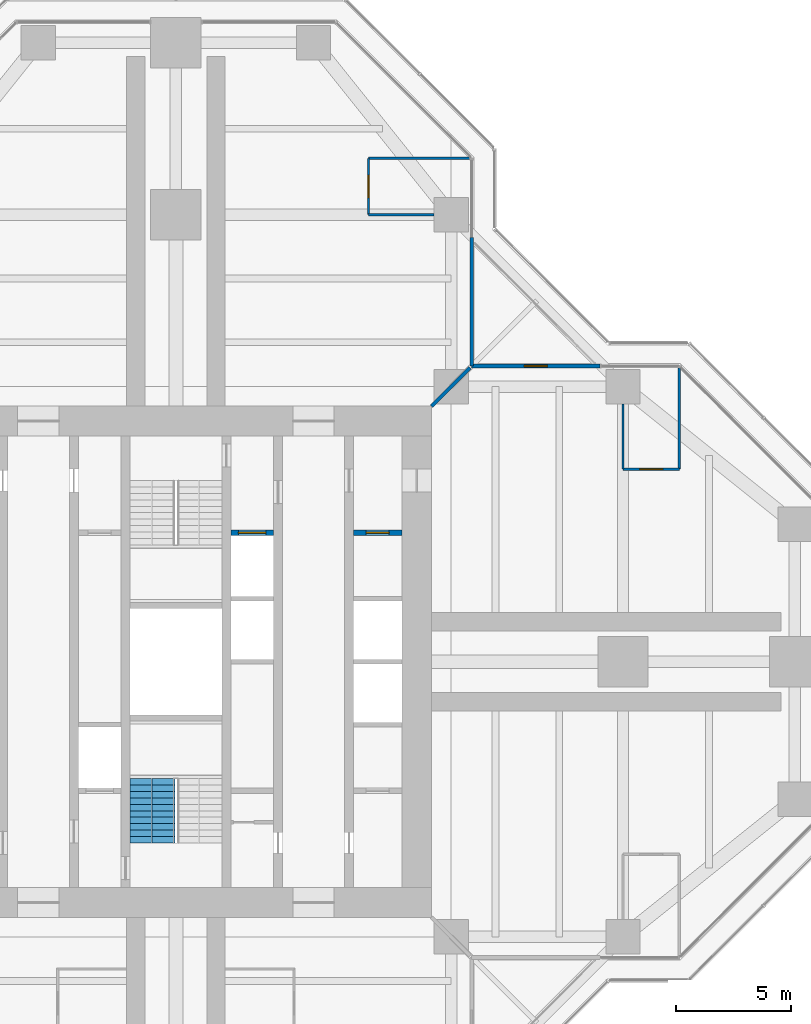
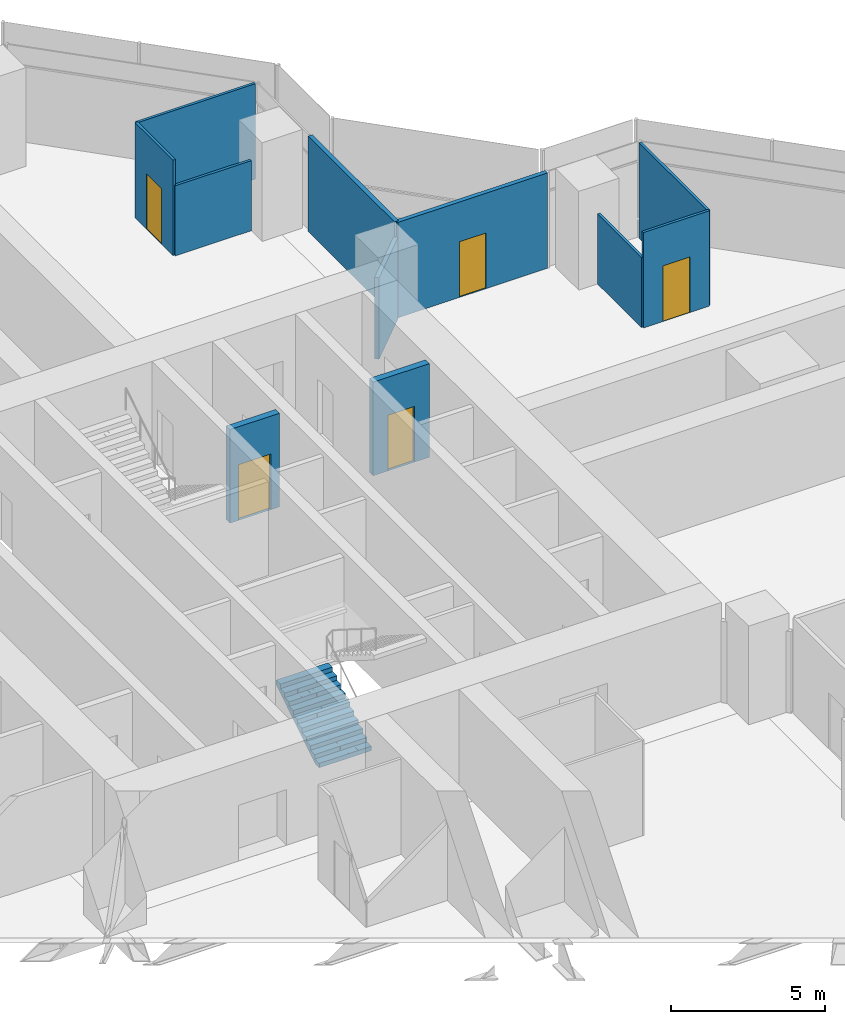
# One storey, part 15 of 17: 11 walls, 5 doors, 1 stair flight, 5 openings, 1 element without a shape of its own.
"""IFC4 building model written with IfcOpenShell, lengths in metres."""

from ifc_helpers import new_model, si_unit, direction, frame, frame_2d, origin, place, context, subcontext, project, spatial, polyline, rectangle, outline, extrude, material, layer, layer_set, type_object, element, fill, aggregate, save


model = new_model("IFC4")

# Units and contexts
model_context = context("Model", 3, precision=1e-05, world=origin(), true_north=direction((0.0, 1.0)))
body_context = subcontext(model_context, "Body", "Model", "MODEL_VIEW")
ifc_project = project(units=[si_unit("LENGTHUNIT", "METRE"), si_unit("AREAUNIT", "SQUARE_METRE"), si_unit("VOLUMEUNIT", "CUBIC_METRE"), si_unit("PLANEANGLEUNIT", "RADIAN"), si_unit("MASSUNIT", "GRAM", prefix="KILO")], contexts=[model_context])

# Site, building, storey
site_placement = place(None, origin())
site = spatial("IfcSite", under=ifc_project, at=site_placement, CompositionType="ELEMENT")
building_placement = place(site_placement, origin())
building = spatial("IfcBuilding", under=site, at=building_placement, Name="Mizan Broadcast Tower", CompositionType="ELEMENT")
storey_placement = place(building_placement, frame((0.0, 0.0, 251.699951171875)))
storey = spatial("IfcBuildingStorey", under=building, at=storey_placement, Name="L59", CompositionType="ELEMENT", Elevation=251.699951171875)

# Wall, opening, door
ifc_material_1 = material(Name="Aluminium framed glazed screen", Category="aluminium")
ifc_layer_1 = layer(ifc_material_1, 0.159912109375)
ifc_layer_set_1 = layer_set([ifc_layer_1], Name="Aluminium framed glazed screen")
wall_type_1 = type_object("IfcWallType", Name="GLAZED SCREEN WALL 160", PredefinedType="SOLIDWALL", material=ifc_layer_set_1)
wall_1_placement = place(storey_placement, frame((18.5, 12.89990234375, 0.0), z_axis=(0.0, 0.0, 1.0), x_axis=(-1.0, 0.0, 0.0)))
wall_1 = element("IfcWall", 1, at=wall_1_placement, inside=storey, type_object=wall_type_1, Name="Winter garden screen L59 E", PredefinedType="SOLIDWALL", context=body_context, shape_type="SweptSolid", body=[
    extrude(rectangle(XDim=5.60009765625, YDim=0.159912109375, at=frame_2d((2.800048828125, 0.0))), origin(), (0.0, 0.0, 1.0), 3.77001953125),
])
opening_1_placement = place(wall_1_placement, frame((2.300048828125, 0.0, 0.0)))
opening_1 = element("IfcOpeningElement", 2, at=opening_1_placement, cuts=wall_1, Name="Opening WGD", PredefinedType="OPENING", context=body_context, shape_type="SweptSolid", body=[
    extrude(rectangle(XDim=1.0, YDim=2.199951171875, at=frame_2d((0.5, 1.10009765625))), frame((0.0, 0.08984375, 0.0), z_axis=(0.0, -1.0, 0.0), x_axis=(1.0, 0.0, 0.0)), (0.0, 0.0, 1.0), 0.179931640625),
])
ifc_material_2 = material(Name="Aluminium framed glazed door", Category="aluminium")
door_type_1 = type_object("IfcDoorType", Name="WINTER GARDEN DOOR 1000 GLAZED", OperationType="SINGLE_SWING_LEFT", PredefinedType="DOOR", material=ifc_material_2)
door_1_placement = place(opening_1_placement, origin())
door_1 = element("IfcDoor", 3, at=door_1_placement, inside=storey, type_object=door_type_1, Name="Winter garden door L59 E", OperationType="SINGLE_SWING_RIGHT", OverallHeight=2.199951171875, OverallWidth=1.0, PredefinedType="DOOR", context=body_context, shape_type="SweptSolid", body=[
    extrude(rectangle(XDim=1.0, YDim=2.199951171875, at=frame_2d((0.5, 1.10009765625))), frame((0.0, 0.02490234375, 0.0), z_axis=(0.0, -1.0, 0.0), x_axis=(1.0, 0.0, 0.0)), (0.0, 0.0, 1.0), 0.050048828125),
])
fill(opening_1, door_1)

# Wall
wall_2_placement = place(storey_placement, frame((12.89990234375, 12.89990234375, 0.0), z_axis=(0.0, 0.0, 1.0), x_axis=(0.0, 1.0, 0.0)))
element("IfcWall", 4, at=wall_2_placement, inside=storey, type_object=wall_type_1, Name="Winter garden screen L59 N", PredefinedType="SOLIDWALL", context=body_context, shape_type="SweptSolid", body=[
    extrude(rectangle(XDim=5.60009765625, YDim=0.159912109375, at=frame_2d((2.800048828125, 0.0))), origin(), (0.0, 0.0, 1.0), 3.77001953125),
])

# Wall, opening, door
ifc_material_3 = material(Name="Concrete blockwork", Category="masonry")
ifc_layer_2 = layer(ifc_material_3, 0.25)
ifc_layer_set_2 = layer_set([ifc_layer_2], Name="Concrete blockwork")
wall_type_2 = type_object("IfcWallType", Name="LOBBY ENCLOSURE WALL 250", PredefinedType="SOLIDWALL", material=ifc_layer_set_2)
wall_3_placement = place(storey_placement, frame((2.39990234375, 5.625, 0.0), z_axis=(0.0, 0.0, 1.0), x_axis=(1.0, 0.0, 0.0)))
wall_3 = element("IfcWall", 5, at=wall_3_placement, inside=storey, type_object=wall_type_2, Name="Lobby enclosure wall CORE/BE2N", PredefinedType="SOLIDWALL", context=body_context, shape_type="SweptSolid", body=[
    extrude(rectangle(XDim=1.85009765625, YDim=0.25, at=frame_2d((0.925048828125, 0.0))), origin(), (0.0, 0.0, 1.0), 3.699951171875),
])
opening_2_placement = place(wall_3_placement, frame((0.324951171875, 0.0, 0.0)))
opening_2 = element("IfcOpeningElement", 6, at=opening_2_placement, cuts=wall_3, Name="Opening LDF", PredefinedType="OPENING", context=body_context, shape_type="SweptSolid", body=[
    extrude(rectangle(XDim=1.199951171875, YDim=2.199951171875, at=frame_2d((0.60009765625, 1.10009765625))), frame((0.0, 0.135009765625, 0.0), z_axis=(0.0, -1.0, 0.0), x_axis=(1.0, 0.0, 0.0)), (0.0, 0.0, 1.0), 0.27001953125),
])
ifc_material_4 = material(Name="Steel door leaf in steel frame", Category="steel")
door_type_2 = type_object("IfcDoorType", Name="FIREFIGHTING LIFT LANDING DOOR 1200", OperationType="SLIDING_TO_LEFT", PredefinedType="DOOR", material=ifc_material_4)
door_2_placement = place(opening_2_placement, origin())
door_2 = element("IfcDoor", 7, at=door_2_placement, inside=storey, type_object=door_type_2, Name="Landing door FF2", OperationType="SLIDING_TO_LEFT", OverallHeight=2.199951171875, OverallWidth=1.199951171875, PredefinedType="DOOR", context=body_context, shape_type="SweptSolid", body=[
    extrude(rectangle(XDim=1.199951171875, YDim=2.199951171875, at=frame_2d((0.60009765625, 1.10009765625))), frame((0.0, 0.02490234375, 0.0), z_axis=(0.0, -1.0, 0.0), x_axis=(1.0, 0.0, 0.0)), (0.0, 0.0, 1.0), 0.050048828125),
])
fill(opening_2, door_2)

wall_4_placement = place(storey_placement, frame((7.75, 5.625, 0.0), z_axis=(0.0, 0.0, 1.0), x_axis=(1.0, 0.0, 0.0)))
wall_4 = element("IfcWall", 8, at=wall_4_placement, inside=storey, type_object=wall_type_2, Name="Lobby enclosure wall CORE/BE1N", PredefinedType="SOLIDWALL", context=body_context, shape_type="SweptSolid", body=[
    extrude(rectangle(XDim=2.10009765625, YDim=0.25, at=frame_2d((1.050048828125, 0.0))), origin(), (0.0, 0.0, 1.0), 3.699951171875),
])
opening_3_placement = place(wall_4_placement, frame((0.550048828125, 0.0, 0.0)))
opening_3 = element("IfcOpeningElement", 9, at=opening_3_placement, cuts=wall_4, Name="Opening D10F", PredefinedType="OPENING", context=body_context, shape_type="SweptSolid", body=[
    extrude(rectangle(XDim=1.0, YDim=2.199951171875, at=frame_2d((0.5, 1.10009765625))), frame((0.0, 0.135009765625, 0.0), z_axis=(0.0, -1.0, 0.0), x_axis=(1.0, 0.0, 0.0)), (0.0, 0.0, 1.0), 0.27001953125),
])
ifc_material_5 = material(Name="Steel door leaf in steel frame", Category="steel")
door_type_3 = type_object("IfcDoorType", Name="FIRE DOOR 1000 FD90", OperationType="SINGLE_SWING_LEFT", PredefinedType="DOOR", material=ifc_material_5)
door_3_placement = place(opening_3_placement, origin())
door_3 = element("IfcDoor", 10, at=door_3_placement, inside=storey, type_object=door_type_3, Name="Security equipment room door", OperationType="SINGLE_SWING_LEFT", OverallHeight=2.199951171875, OverallWidth=1.0, PredefinedType="DOOR", context=body_context, shape_type="SweptSolid", body=[
    extrude(rectangle(XDim=1.0, YDim=2.199951171875, at=frame_2d((0.5, 1.10009765625))), frame((0.0, 0.02490234375, 0.0), z_axis=(0.0, -1.0, 0.0), x_axis=(1.0, 0.0, 0.0)), (0.0, 0.0, 1.0), 0.050048828125),
])
fill(opening_3, door_3)

# Wall
ifc_material_6 = material(Name="Gypsum board on steel studs", Category="steel")
ifc_layer_3 = layer(ifc_material_6, 0.14990234375)
ifc_layer_set_3 = layer_set([ifc_layer_3], Name="Gypsum board on steel studs")
wall_type_3 = type_object("IfcWallType", Name="PARTITION 150", PredefinedType="PARTITIONING", material=ifc_layer_set_3)
wall_5_placement = place(storey_placement, frame((11.14990234375, 11.14990234375, 0.0), z_axis=(0.0, 0.0, 1.0), x_axis=(0.707106781187, 0.707106781187, 0.0)))
element("IfcWall", 11, at=wall_5_placement, inside=storey, type_object=wall_type_3, Name="Partition PT/DGEN", PredefinedType="PARTITIONING", context=body_context, shape_type="SweptSolid", body=[
    extrude(rectangle(XDim=2.362060546875, YDim=0.14990234375, at=frame_2d((1.18115234375, 0.0))), origin(), (0.0, 0.0, 1.0), 3.219970703125),
])

# Wall, opening, door
ifc_material_7 = material(Name="Glazed aluminium partition on aluminium track", Category="aluminium")
ifc_layer_4 = layer(ifc_material_7, 0.10009765625)
ifc_layer_set_4 = layer_set([ifc_layer_4], Name="Glazed aluminium partition on aluminium track")
wall_type_4 = type_object("IfcWallType", Name="PARTITION GLAZED OFFICE FRONT 100", PredefinedType="PARTITIONING", material=ifc_layer_set_4)
wall_6_placement = place(storey_placement, frame((19.5, 8.39990234375, 0.0), z_axis=(0.0, 0.0, 1.0), x_axis=(1.0, 0.0, 0.0)))
wall_6 = element("IfcWall", 12, at=wall_6_placement, inside=storey, type_object=wall_type_4, Name="Glazed office front PT/ECP0", PredefinedType="PARTITIONING", context=body_context, shape_type="SweptSolid", body=[
    extrude(rectangle(XDim=2.458984375, YDim=0.10009765625, at=frame_2d((1.2294921875, 0.0))), origin(), (0.0, 0.0, 1.0), 3.77001953125),
])
opening_4_placement = place(wall_6_placement, frame((0.7294921875, 0.0, 0.0)))
opening_4 = element("IfcOpeningElement", 13, at=opening_4_placement, cuts=wall_6, Name="Opening D10O", PredefinedType="OPENING", context=body_context, shape_type="SweptSolid", body=[
    extrude(rectangle(XDim=1.0, YDim=2.199951171875, at=frame_2d((0.5, 1.10009765625))), frame((0.0, 0.06005859375, 0.0), z_axis=(0.0, -1.0, 0.0), x_axis=(1.0, 0.0, 0.0)), (0.0, 0.0, 1.0), 0.1201171875),
])
ifc_material_8 = material(Name="Timber door leaf in aluminium frame", Category="wood")
door_type_4 = type_object("IfcDoorType", Name="OFFICE DOOR 1000 GLAZED", OperationType="SINGLE_SWING_LEFT", PredefinedType="DOOR", material=ifc_material_8)
door_4_placement = place(opening_4_placement, origin())
door_4 = element("IfcDoor", 14, at=door_4_placement, inside=storey, type_object=door_type_4, Name="Film library door", OperationType="SINGLE_SWING_LEFT", OverallHeight=2.199951171875, OverallWidth=1.0, PredefinedType="DOOR", context=body_context, shape_type="SweptSolid", body=[
    extrude(rectangle(XDim=1.0, YDim=2.199951171875, at=frame_2d((0.5, 1.10009765625))), frame((0.0, 0.02490234375, 0.0), z_axis=(0.0, -1.0, 0.0), x_axis=(1.0, 0.0, 0.0)), (0.0, 0.0, 1.0), 0.050048828125),
])
fill(opening_4, door_4)

# Walls
wall_7_placement = place(storey_placement, frame((19.5, 8.39990234375, 0.0), z_axis=(0.0, 0.0, 1.0), x_axis=(0.0, 1.0, 0.0)))
element("IfcWall", 15, at=wall_7_placement, inside=storey, type_object=wall_type_4, Name="Glazed office front PT/EQP1950", PredefinedType="PARTITIONING", context=body_context, shape_type="SweptSolid", body=[
    extrude(rectangle(XDim=2.85009765625, YDim=0.10009765625, at=frame_2d((1.425048828125, 0.0))), origin(), (0.0, 0.0, 1.0), 2.77001953125),
])
wall_8_placement = place(storey_placement, frame((21.958984375, 8.39990234375, 0.0), z_axis=(0.0, 0.0, 1.0), x_axis=(0.0, 1.0, 0.0)))
element("IfcWall", 16, at=wall_8_placement, inside=storey, type_object=wall_type_4, Name="Glazed office front PT/EQP2196", PredefinedType="PARTITIONING", context=body_context, shape_type="SweptSolid", body=[
    extrude(rectangle(XDim=4.420166015625, YDim=0.10009765625, at=frame_2d((2.2099609375, 0.0))), origin(), (0.0, 0.0, 1.0), 3.77001953125),
])

# Wall, opening, door
wall_9_placement = place(storey_placement, frame((8.39990234375, 19.5, 0.0), z_axis=(0.0, 0.0, 1.0), x_axis=(0.0, 1.0, 0.0)))
wall_9 = element("IfcWall", 17, at=wall_9_placement, inside=storey, type_object=wall_type_4, Name="Glazed office front PT/NCN0", PredefinedType="PARTITIONING", context=body_context, shape_type="SweptSolid", body=[
    extrude(rectangle(XDim=2.458984375, YDim=0.10009765625, at=frame_2d((1.2294921875, 0.0))), origin(), (0.0, 0.0, 1.0), 3.77001953125),
])
opening_5_placement = place(wall_9_placement, frame((0.7294921875, 0.0, 0.0)))
opening_5 = element("IfcOpeningElement", 18, at=opening_5_placement, cuts=wall_9, Name="Opening D10O", PredefinedType="OPENING", context=body_context, shape_type="SweptSolid", body=[
    extrude(rectangle(XDim=1.0, YDim=2.199951171875, at=frame_2d((0.5, 1.10009765625))), frame((0.0, 0.06005859375, 0.0), z_axis=(0.0, -1.0, 0.0), x_axis=(1.0, 0.0, 0.0)), (0.0, 0.0, 1.0), 0.1201171875),
])
door_5_placement = place(opening_5_placement, origin())
door_5 = element("IfcDoor", 19, at=door_5_placement, inside=storey, type_object=door_type_4, Name="Office door", OperationType="SINGLE_SWING_LEFT", OverallHeight=2.199951171875, OverallWidth=1.0, PredefinedType="DOOR", context=body_context, shape_type="SweptSolid", body=[
    extrude(rectangle(XDim=1.0, YDim=2.199951171875, at=frame_2d((0.5, 1.10009765625))), frame((0.0, 0.02490234375, 0.0), z_axis=(0.0, -1.0, 0.0), x_axis=(1.0, 0.0, 0.0)), (0.0, 0.0, 1.0), 0.050048828125),
])
fill(opening_5, door_5)

# Walls
wall_10_placement = place(storey_placement, frame((8.39990234375, 19.5, 0.0), z_axis=(0.0, 0.0, 1.0), x_axis=(1.0, 0.0, 0.0)))
element("IfcWall", 20, at=wall_10_placement, inside=storey, type_object=wall_type_4, Name="Glazed office front PT/NQN1950", PredefinedType="PARTITIONING", context=body_context, shape_type="SweptSolid", body=[
    extrude(rectangle(XDim=2.85009765625, YDim=0.10009765625, at=frame_2d((1.425048828125, 0.0))), origin(), (0.0, 0.0, 1.0), 2.77001953125),
])
wall_11_placement = place(storey_placement, frame((8.39990234375, 21.958984375, 0.0), z_axis=(0.0, 0.0, 1.0), x_axis=(1.0, 0.0, 0.0)))
element("IfcWall", 21, at=wall_11_placement, inside=storey, type_object=wall_type_4, Name="Glazed office front PT/NQN2196", PredefinedType="PARTITIONING", context=body_context, shape_type="SweptSolid", body=[
    extrude(rectangle(XDim=4.420166015625, YDim=0.10009765625, at=frame_2d((2.2099609375, 0.0))), origin(), (0.0, 0.0, 1.0), 3.77001953125),
])

# Stair, stair flight
ifc_material_9 = material(Name="Concrete C40/50", Category="concrete")
stair_type = type_object("IfcStairType", Name="EXIT STAIR", PredefinedType="HALF_TURN_STAIR", material=ifc_material_9)
stair_placement = place(storey_placement, origin())
stair = element("IfcStair", 22, at=stair_placement, inside=storey, type_object=stair_type, Name="Stair A L59", PredefinedType="HALF_TURN_STAIR")
ifc_material_10 = material(Name="Concrete C40/50", Category="concrete")
stair_flight_type = type_object("IfcStairFlightType", Name="EXIT STAIR FLIGHT", PredefinedType="STRAIGHT", material=ifc_material_10)
stair_flight_placement = place(storey_placement, frame((-1.02490234375, -7.89990234375, 0.0), z_axis=(0.0, 0.0, 1.0), x_axis=(0.0, 1.0, 0.0)))
stair_flight = element("IfcStairFlight", 23, at=stair_flight_placement, type_object=stair_flight_type, Name="A flight 1", NumberOfRisers=11, NumberOfTreads=10, PredefinedType="STRAIGHT", RiserHeight=0.177272727, TreadLength=0.28, context=body_context, shape_type="SweptSolid", body=[
    extrude(outline(polyline([(0.0, 0.0), (0.0, 0.17724609375), (0.280029296875, 0.17724609375), (0.280029296875, 0.3544921875), (0.56005859375, 0.3544921875), (0.56005859375, 0.53173828125), (0.840087890625, 0.53173828125), (0.840087890625, 0.708984375), (1.1201171875, 0.708984375), (1.1201171875, 0.886474609375), (1.39990234375, 0.886474609375), (1.39990234375, 1.063720703125), (1.679931640625, 1.063720703125), (1.679931640625, 1.240966796875), (1.9599609375, 1.240966796875), (1.9599609375, 1.418212890625), (2.239990234375, 1.418212890625), (2.239990234375, 1.595458984375), (2.52001953125, 1.595458984375), (2.52001953125, 1.772705078125), (2.800048828125, 1.772705078125), (2.800048828125, 1.949951171875), (2.800048828125, 1.59521484375), (0.2802734375, 0.0), (0.0, 0.0)])), frame((0.0, 0.97509765625, 0.0), z_axis=(0.0, -1.0, 0.0), x_axis=(1.0, 0.0, 0.0)), (0.0, 0.0, 1.0), 0.4873046875),
    extrude(outline(polyline([(0.0, 0.0), (0.0, 0.17724609375), (0.280029296875, 0.17724609375), (0.280029296875, 0.3544921875), (0.56005859375, 0.3544921875), (0.56005859375, 0.53173828125), (0.840087890625, 0.53173828125), (0.840087890625, 0.708984375), (1.1201171875, 0.708984375), (1.1201171875, 0.886474609375), (1.39990234375, 0.886474609375), (1.39990234375, 1.063720703125), (1.679931640625, 1.063720703125), (1.679931640625, 1.240966796875), (1.9599609375, 1.240966796875), (1.9599609375, 1.418212890625), (2.239990234375, 1.418212890625), (2.239990234375, 1.595458984375), (2.52001953125, 1.595458984375), (2.52001953125, 1.772705078125), (2.800048828125, 1.772705078125), (2.800048828125, 1.949951171875), (2.800048828125, 1.59521484375), (0.2802734375, 0.0), (0.0, 0.0)])), frame((0.0, 0.4873046875, 0.0), z_axis=(0.0, -1.0, 0.0), x_axis=(1.0, 0.0, 0.0)), (0.0, 0.0, 1.0), 0.2431640625),
    extrude(outline(polyline([(0.0, 0.0), (0.0, 0.17724609375), (0.280029296875, 0.17724609375), (0.280029296875, 0.3544921875), (0.56005859375, 0.3544921875), (0.56005859375, 0.53173828125), (0.840087890625, 0.53173828125), (0.840087890625, 0.708984375), (1.1201171875, 0.708984375), (1.1201171875, 0.886474609375), (1.39990234375, 0.886474609375), (1.39990234375, 1.063720703125), (1.679931640625, 1.063720703125), (1.679931640625, 1.240966796875), (1.9599609375, 1.240966796875), (1.9599609375, 1.418212890625), (2.239990234375, 1.418212890625), (2.239990234375, 1.595458984375), (2.52001953125, 1.595458984375), (2.52001953125, 1.772705078125), (2.800048828125, 1.772705078125), (2.800048828125, 1.949951171875), (2.800048828125, 1.59521484375), (0.2802734375, 0.0), (0.0, 0.0)])), frame((0.0, 0.24365234375, 0.0), z_axis=(0.0, -1.0, 0.0), x_axis=(1.0, 0.0, 0.0)), (0.0, 0.0, 1.0), 0.121337890625),
    extrude(outline(polyline([(0.0, 0.0), (0.0, 0.17724609375), (0.280029296875, 0.17724609375), (0.280029296875, 0.3544921875), (0.56005859375, 0.3544921875), (0.56005859375, 0.53173828125), (0.840087890625, 0.53173828125), (0.840087890625, 0.708984375), (1.1201171875, 0.708984375), (1.1201171875, 0.886474609375), (1.39990234375, 0.886474609375), (1.39990234375, 1.063720703125), (1.679931640625, 1.063720703125), (1.679931640625, 1.240966796875), (1.9599609375, 1.240966796875), (1.9599609375, 1.418212890625), (2.239990234375, 1.418212890625), (2.239990234375, 1.595458984375), (2.52001953125, 1.595458984375), (2.52001953125, 1.772705078125), (2.800048828125, 1.772705078125), (2.800048828125, 1.949951171875), (2.800048828125, 1.59521484375), (0.2802734375, 0.0), (0.0, 0.0)])), frame((0.0, 0.121826171875, 0.0), z_axis=(0.0, -1.0, 0.0), x_axis=(1.0, 0.0, 0.0)), (0.0, 0.0, 1.0), 0.060546875),
    extrude(outline(polyline([(0.0, 0.0), (0.0, 0.17724609375), (0.280029296875, 0.17724609375), (0.280029296875, 0.3544921875), (0.56005859375, 0.3544921875), (0.56005859375, 0.53173828125), (0.840087890625, 0.53173828125), (0.840087890625, 0.708984375), (1.1201171875, 0.708984375), (1.1201171875, 0.886474609375), (1.39990234375, 0.886474609375), (1.39990234375, 1.063720703125), (1.679931640625, 1.063720703125), (1.679931640625, 1.240966796875), (1.9599609375, 1.240966796875), (1.9599609375, 1.418212890625), (2.239990234375, 1.418212890625), (2.239990234375, 1.595458984375), (2.52001953125, 1.595458984375), (2.52001953125, 1.772705078125), (2.800048828125, 1.772705078125), (2.800048828125, 1.949951171875), (2.800048828125, 1.59521484375), (0.2802734375, 0.0), (0.0, 0.0)])), frame((0.0, 0.060791015625, 0.0), z_axis=(0.0, -1.0, 0.0), x_axis=(1.0, 0.0, 0.0)), (0.0, 0.0, 1.0), 0.030029296875),
    extrude(outline(polyline([(0.0, 0.0), (0.0, 0.17724609375), (0.280029296875, 0.17724609375), (0.280029296875, 0.3544921875), (0.56005859375, 0.3544921875), (0.56005859375, 0.53173828125), (0.840087890625, 0.53173828125), (0.840087890625, 0.708984375), (1.1201171875, 0.708984375), (1.1201171875, 0.886474609375), (1.39990234375, 0.886474609375), (1.39990234375, 1.063720703125), (1.679931640625, 1.063720703125), (1.679931640625, 1.240966796875), (1.9599609375, 1.240966796875), (1.9599609375, 1.418212890625), (2.239990234375, 1.418212890625), (2.239990234375, 1.595458984375), (2.52001953125, 1.595458984375), (2.52001953125, 1.772705078125), (2.800048828125, 1.772705078125), (2.800048828125, 1.949951171875), (2.800048828125, 1.59521484375), (0.2802734375, 0.0), (0.0, 0.0)])), frame((0.0, 0.0302734375, 0.0), z_axis=(0.0, -1.0, 0.0), x_axis=(1.0, 0.0, 0.0)), (0.0, 0.0, 1.0), 0.060302734375),
    extrude(outline(polyline([(0.0, 0.0), (0.0, 0.17724609375), (0.280029296875, 0.17724609375), (0.280029296875, 0.3544921875), (0.56005859375, 0.3544921875), (0.56005859375, 0.53173828125), (0.840087890625, 0.53173828125), (0.840087890625, 0.708984375), (1.1201171875, 0.708984375), (1.1201171875, 0.886474609375), (1.39990234375, 0.886474609375), (1.39990234375, 1.063720703125), (1.679931640625, 1.063720703125), (1.679931640625, 1.240966796875), (1.9599609375, 1.240966796875), (1.9599609375, 1.418212890625), (2.239990234375, 1.418212890625), (2.239990234375, 1.595458984375), (2.52001953125, 1.595458984375), (2.52001953125, 1.772705078125), (2.800048828125, 1.772705078125), (2.800048828125, 1.949951171875), (2.800048828125, 1.59521484375), (0.2802734375, 0.0), (0.0, 0.0)])), frame((0.0, -0.030517578125, 0.0), z_axis=(0.0, -1.0, 0.0), x_axis=(1.0, 0.0, 0.0)), (0.0, 0.0, 1.0), 0.030029296875),
    extrude(outline(polyline([(0.0, 0.0), (0.0, 0.17724609375), (0.280029296875, 0.17724609375), (0.280029296875, 0.3544921875), (0.56005859375, 0.3544921875), (0.56005859375, 0.53173828125), (0.840087890625, 0.53173828125), (0.840087890625, 0.708984375), (1.1201171875, 0.708984375), (1.1201171875, 0.886474609375), (1.39990234375, 0.886474609375), (1.39990234375, 1.063720703125), (1.679931640625, 1.063720703125), (1.679931640625, 1.240966796875), (1.9599609375, 1.240966796875), (1.9599609375, 1.418212890625), (2.239990234375, 1.418212890625), (2.239990234375, 1.595458984375), (2.52001953125, 1.595458984375), (2.52001953125, 1.772705078125), (2.800048828125, 1.772705078125), (2.800048828125, 1.949951171875), (2.800048828125, 1.59521484375), (0.2802734375, 0.0), (0.0, 0.0)])), frame((0.0, -0.06103515625, 0.0), z_axis=(0.0, -1.0, 0.0), x_axis=(1.0, 0.0, 0.0)), (0.0, 0.0, 1.0), 0.060546875),
    extrude(outline(polyline([(0.0, 0.0), (0.0, 0.17724609375), (0.280029296875, 0.17724609375), (0.280029296875, 0.3544921875), (0.56005859375, 0.3544921875), (0.56005859375, 0.53173828125), (0.840087890625, 0.53173828125), (0.840087890625, 0.708984375), (1.1201171875, 0.708984375), (1.1201171875, 0.886474609375), (1.39990234375, 0.886474609375), (1.39990234375, 1.063720703125), (1.679931640625, 1.063720703125), (1.679931640625, 1.240966796875), (1.9599609375, 1.240966796875), (1.9599609375, 1.418212890625), (2.239990234375, 1.418212890625), (2.239990234375, 1.595458984375), (2.52001953125, 1.595458984375), (2.52001953125, 1.772705078125), (2.800048828125, 1.772705078125), (2.800048828125, 1.949951171875), (2.800048828125, 1.59521484375), (0.2802734375, 0.0), (0.0, 0.0)])), frame((0.0, -0.1220703125, 0.0), z_axis=(0.0, -1.0, 0.0), x_axis=(1.0, 0.0, 0.0)), (0.0, 0.0, 1.0), 0.121337890625),
    extrude(outline(polyline([(0.0, 0.0), (0.0, 0.17724609375), (0.280029296875, 0.17724609375), (0.280029296875, 0.3544921875), (0.56005859375, 0.3544921875), (0.56005859375, 0.53173828125), (0.840087890625, 0.53173828125), (0.840087890625, 0.708984375), (1.1201171875, 0.708984375), (1.1201171875, 0.886474609375), (1.39990234375, 0.886474609375), (1.39990234375, 1.063720703125), (1.679931640625, 1.063720703125), (1.679931640625, 1.240966796875), (1.9599609375, 1.240966796875), (1.9599609375, 1.418212890625), (2.239990234375, 1.418212890625), (2.239990234375, 1.595458984375), (2.52001953125, 1.595458984375), (2.52001953125, 1.772705078125), (2.800048828125, 1.772705078125), (2.800048828125, 1.949951171875), (2.800048828125, 1.59521484375), (0.2802734375, 0.0), (0.0, 0.0)])), frame((0.0, -0.243896484375, 0.0), z_axis=(0.0, -1.0, 0.0), x_axis=(1.0, 0.0, 0.0)), (0.0, 0.0, 1.0), 0.2431640625),
    extrude(outline(polyline([(0.0, 0.0), (0.0, 0.17724609375), (0.280029296875, 0.17724609375), (0.280029296875, 0.3544921875), (0.56005859375, 0.3544921875), (0.56005859375, 0.53173828125), (0.840087890625, 0.53173828125), (0.840087890625, 0.708984375), (1.1201171875, 0.708984375), (1.1201171875, 0.886474609375), (1.39990234375, 0.886474609375), (1.39990234375, 1.063720703125), (1.679931640625, 1.063720703125), (1.679931640625, 1.240966796875), (1.9599609375, 1.240966796875), (1.9599609375, 1.418212890625), (2.239990234375, 1.418212890625), (2.239990234375, 1.595458984375), (2.52001953125, 1.595458984375), (2.52001953125, 1.772705078125), (2.800048828125, 1.772705078125), (2.800048828125, 1.949951171875), (2.800048828125, 1.59521484375), (0.2802734375, 0.0), (0.0, 0.0)])), frame((0.0, -0.487548828125, 0.0), z_axis=(0.0, -1.0, 0.0), x_axis=(1.0, 0.0, 0.0)), (0.0, 0.0, 1.0), 0.4873046875),
])
aggregate(stair, [stair_flight])

save(model, "model.ifc")
